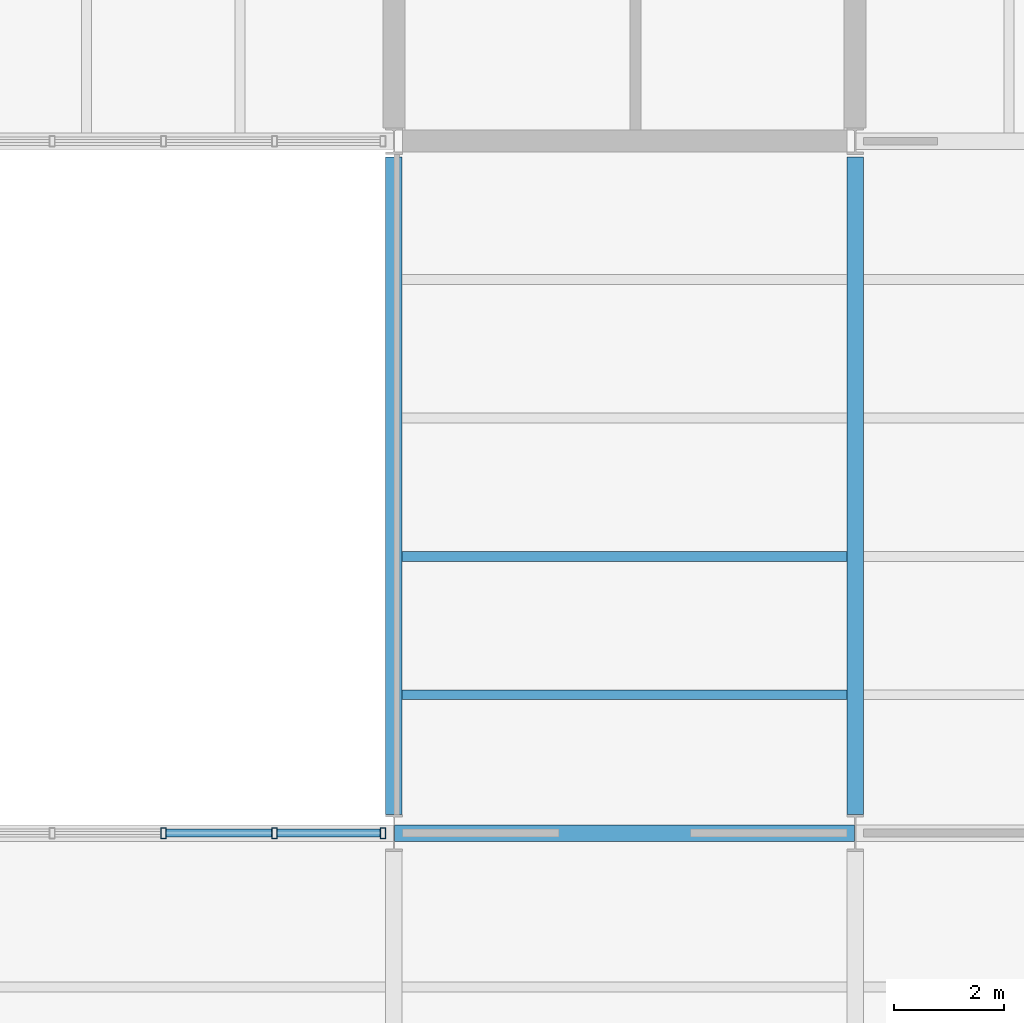
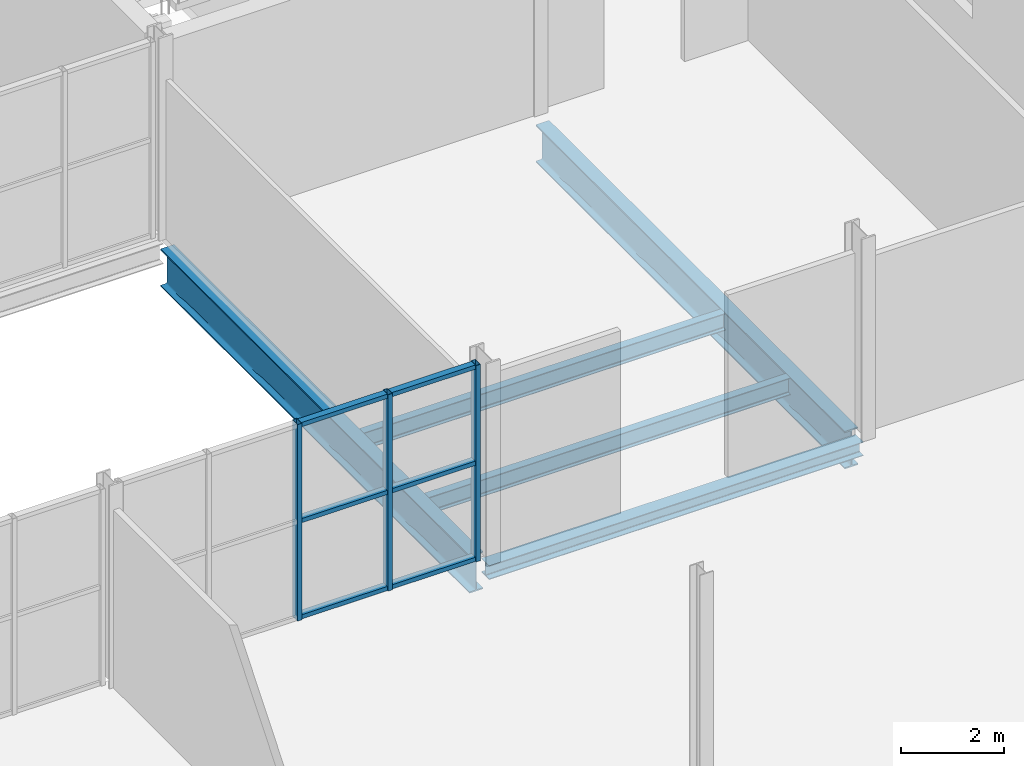
# One storey, part 20 of 52: 9 members, 5 beams, 1 element without a shape of its own.
"""IFC4 building model written with IfcOpenShell, lengths in metres."""

from ifc_helpers import new_model, si_unit, direction, frame, origin, origin_2d, place, context, subcontext, project, spatial, hollow_rectangle, i_section, extrude, material, layer, layer_set, material_profile, profile_set, type_object, element, aggregate, save


model = new_model("IFC4")

# Units and contexts
model_context = context("Model", 3, precision=1e-05, world=origin(), true_north=direction((0.0, 1.0)))
body_context = subcontext(model_context, "Body", "Model", "MODEL_VIEW")
ifc_project = project(units=[si_unit("LENGTHUNIT", "METRE"), si_unit("AREAUNIT", "SQUARE_METRE"), si_unit("VOLUMEUNIT", "CUBIC_METRE"), si_unit("PLANEANGLEUNIT", "RADIAN"), si_unit("MASSUNIT", "GRAM", prefix="KILO")], contexts=[model_context])

# Site, building, storey
site_placement = place(None, origin())
site = spatial("IfcSite", under=ifc_project, at=site_placement, CompositionType="ELEMENT")
building_placement = place(site_placement, origin())
building = spatial("IfcBuilding", under=site, at=building_placement, Name="Galleria Vessillo Department Store", CompositionType="ELEMENT")
storey_placement = place(building_placement, frame((0.0, 0.0, 16.199951171875)))
storey = spatial("IfcBuildingStorey", under=building, at=storey_placement, Name="L03", CompositionType="ELEMENT", Elevation=16.199951171875)

# Beams
ifc_material_1 = material(Name="Steel S355 J2", Category="steel")
ifc_material_profile_1 = material_profile(ifc_material_1, i_section(OverallWidth=0.300048828125, OverallDepth=0.889892578125, WebThickness=0.01611328125, FlangeThickness=0.030029296875, FilletRadius=0.030029296875, at=origin_2d()), Name="HEA 900")
ifc_profile_set_1 = profile_set([ifc_material_profile_1], Name="Steel S355 J2")
beam_type_1 = type_object("IfcBeamType", Name="Floor girder HEA 900", PredefinedType="BEAM", material=ifc_profile_set_1)
beam_1_placement = place(storey_placement, frame((109.199951171875, 25.5341796875, -0.594970703125), z_axis=(0.0, 1.0, 0.0), x_axis=(-1.0, 0.0, 0.0)))
element("IfcBeam", 1, at=beam_1_placement, inside=storey, type_object=beam_type_1, Name="S-BM-L03-GI-y109200-25534", PredefinedType="BEAM", context=body_context, shape_type="SweptSolid", body=[
    extrude(i_section(OverallWidth=0.300048828125, OverallDepth=0.889892578125, WebThickness=0.01611328125, FlangeThickness=0.030029296875, FilletRadius=0.030029296875, at=origin_2d()), origin(), (0.0, 0.0, 1.0), 11.979736328125),
])
ifc_material_2 = material(Name="Steel S355 J2", Category="steel")
ifc_material_profile_2 = material_profile(ifc_material_2, i_section(OverallWidth=0.179931640625, OverallDepth=0.39990234375, WebThickness=0.008544921875, FlangeThickness=0.013427734375, FilletRadius=0.02099609375, at=origin_2d()), Name="IPE 400")
ifc_profile_set_2 = profile_set([ifc_material_profile_2], Name="Steel S355 J2")
beam_type_2 = type_object("IfcBeamType", Name="Floor joist IPE 400", PredefinedType="JOIST", material=ifc_profile_set_2)
for number, where, z_axis, x_axis, name in (
    (2, (100.9501953125, 27.719970703125, -0.349853515625), (1.0, 0.0, 0.0), (0.0, 1.0, 0.0), "S-BM-L03-JO-x27720-100950"),
    (3, (100.9501953125, 30.239990234375, -0.349853515625), (1.0, 0.0, 0.0), (0.0, 1.0, 0.0), "S-BM-L03-JO-x30240-100950"),
):
    element("IfcBeam", number, at=place(storey_placement, frame(where, z_axis=z_axis, x_axis=x_axis)), inside=storey, type_object=beam_type_2, Name=name, PredefinedType="JOIST", context=body_context, shape_type="SweptSolid", body=[
        extrude(i_section(OverallWidth=0.179931640625, OverallDepth=0.39990234375, WebThickness=0.008544921875, FlangeThickness=0.013427734375, FilletRadius=0.02099609375, at=origin_2d()), origin(), (0.0, 0.0, 1.0), 8.099609375),
    ])
ifc_material_3 = material(Name="Steel S355 J2", Category="steel")
ifc_material_profile_3 = material_profile(ifc_material_3, i_section(OverallWidth=0.300048828125, OverallDepth=0.330078125, WebThickness=0.009521484375, FlangeThickness=0.0166015625, FilletRadius=0.027099609375, at=origin_2d()), Name="HEA 340")
ifc_profile_set_3 = profile_set([ifc_material_profile_3], Name="Steel S355 J2")
beam_type_3 = type_object("IfcBeamType", Name="Floor tie girder HEA 340", PredefinedType="BEAM", material=ifc_profile_set_3)
beam_2_placement = place(storey_placement, frame((100.810546875, 25.199951171875, -0.31494140625), z_axis=(1.0, 0.0, 0.0), x_axis=(0.0, 1.0, 0.0)))
element("IfcBeam", 4, at=beam_2_placement, inside=storey, type_object=beam_type_3, Name="S-BM-L03-TI-x25200-100811", PredefinedType="BEAM", context=body_context, shape_type="SweptSolid", body=[
    extrude(i_section(OverallWidth=0.300048828125, OverallDepth=0.330078125, WebThickness=0.009521484375, FlangeThickness=0.0166015625, FilletRadius=0.027099609375, at=origin_2d()), origin(), (0.0, 0.0, 1.0), 8.37890625),
])

# Curtain wall, members
ifc_material_4 = material(Name="Steel and fire-resisting glass curtain wall", Category="steel")
ifc_layer = layer(ifc_material_4, 0.199951171875)
ifc_layer_set = layer_set([ifc_layer], Name="Steel and fire-resisting glass curtain wall")
curtain_wall_type = type_object("IfcCurtainWallType", Name="Arcade fire-resisting glazed shopfront EI 120-Sa", PredefinedType="NOTDEFINED", material=ifc_layer_set)
curtain_wall_placement = place(storey_placement, origin())
curtain_wall = element("IfcCurtainWall", 5, at=curtain_wall_placement, inside=storey, type_object=curtain_wall_type, Name="Arcade fire-resisting glazed shopfront EI 120-Sa AI-AE-S-L03-02", PredefinedType="NOTDEFINED")
ifc_material_5 = material(Name="Steel S355 J2", Category="steel")
ifc_material_profile_4 = material_profile(ifc_material_5, hollow_rectangle(XDim=0.199951171875, YDim=0.10009765625, WallThickness=0.008056640625, at=origin_2d()), Name="RHS 200x100x8")
ifc_profile_set_4 = profile_set([ifc_material_profile_4], Name="Steel S355 J2")
member_type_1 = type_object("IfcMemberType", Name="Steel mullion RHS 200x100x8", PredefinedType="MULLION", material=ifc_profile_set_4)
member_1_placement = place(storey_placement, frame((96.600341796875, 25.199951171875, 0.0), z_axis=(0.0, 0.0, 1.0), x_axis=(0.0, 1.0, 0.0)))
member_1 = element("IfcMember", 6, at=member_1_placement, type_object=member_type_1, Name="CW7 mullion 3", PredefinedType="MULLION", context=body_context, shape_type="SweptSolid", body=[
    extrude(hollow_rectangle(XDim=0.199951171875, YDim=0.10009765625, WallThickness=0.008056640625, at=origin_2d()), origin(), (0.0, 0.0, 1.0), 4.650146484375),
])
member_2_placement = place(storey_placement, frame((98.623779296875, 25.199951171875, 0.0), z_axis=(0.0, 0.0, 1.0), x_axis=(0.0, 1.0, 0.0)))
member_2 = element("IfcMember", 7, at=member_2_placement, type_object=member_type_1, Name="CW7 mullion 4", PredefinedType="MULLION", context=body_context, shape_type="SweptSolid", body=[
    extrude(hollow_rectangle(XDim=0.199951171875, YDim=0.10009765625, WallThickness=0.008056640625, at=origin_2d()), origin(), (0.0, 0.0, 1.0), 4.650146484375),
])
member_3_placement = place(storey_placement, frame((100.597412109375, 25.199951171875, 0.0), z_axis=(0.0, 0.0, 1.0), x_axis=(0.0, 1.0, 0.0)))
member_3 = element("IfcMember", 8, at=member_3_placement, type_object=member_type_1, Name="CW7 mullion 5", PredefinedType="MULLION", context=body_context, shape_type="SweptSolid", body=[
    extrude(hollow_rectangle(XDim=0.199951171875, YDim=0.10009765625, WallThickness=0.008056640625, at=origin_2d()), origin(), (0.0, 0.0, 1.0), 4.650146484375),
])
ifc_material_6 = material(Name="Steel S355 J2", Category="steel")
ifc_material_profile_5 = material_profile(ifc_material_6, hollow_rectangle(XDim=0.14990234375, YDim=0.10009765625, WallThickness=0.008056640625, at=origin_2d()), Name="RHS 150x100x8")
ifc_profile_set_5 = profile_set([ifc_material_profile_5], Name="Steel S355 J2")
member_type_2 = type_object("IfcMemberType", Name="Steel transom RHS 150x100x8", PredefinedType="USERDEFINED", material=ifc_profile_set_5)
member_4_placement = place(storey_placement, frame((96.650146484375, 25.199951171875, 0.050048828125), z_axis=(1.0, 0.0, 0.0), x_axis=(0.0, 1.0, 0.0)))
member_4 = element("IfcMember", 9, at=member_4_placement, type_object=member_type_2, Name="CW7 transom 3.1", ObjectType="TRANSOM", PredefinedType="USERDEFINED", context=body_context, shape_type="SweptSolid", body=[
    extrude(hollow_rectangle(XDim=0.14990234375, YDim=0.10009765625, WallThickness=0.008056640625, at=origin_2d()), origin(), (0.0, 0.0, 1.0), 1.923583984375),
])
member_5_placement = place(storey_placement, frame((96.650146484375, 25.199951171875, 2.324951171875), z_axis=(1.0, 0.0, 0.0), x_axis=(0.0, 1.0, 0.0)))
member_5 = element("IfcMember", 10, at=member_5_placement, type_object=member_type_2, Name="CW7 transom 3.2", ObjectType="TRANSOM", PredefinedType="USERDEFINED", context=body_context, shape_type="SweptSolid", body=[
    extrude(hollow_rectangle(XDim=0.14990234375, YDim=0.10009765625, WallThickness=0.008056640625, at=origin_2d()), origin(), (0.0, 0.0, 1.0), 1.923583984375),
])
member_6_placement = place(storey_placement, frame((96.650146484375, 25.199951171875, 4.60009765625), z_axis=(1.0, 0.0, 0.0), x_axis=(0.0, 1.0, 0.0)))
member_6 = element("IfcMember", 11, at=member_6_placement, type_object=member_type_2, Name="CW7 transom 3.3", ObjectType="TRANSOM", PredefinedType="USERDEFINED", context=body_context, shape_type="SweptSolid", body=[
    extrude(hollow_rectangle(XDim=0.14990234375, YDim=0.10009765625, WallThickness=0.008056640625, at=origin_2d()), origin(), (0.0, 0.0, 1.0), 1.923583984375),
])
member_7_placement = place(storey_placement, frame((98.673828125, 25.199951171875, 0.050048828125), z_axis=(1.0, 0.0, 0.0), x_axis=(0.0, 1.0, 0.0)))
member_7 = element("IfcMember", 12, at=member_7_placement, type_object=member_type_2, Name="CW7 transom 4.1", ObjectType="TRANSOM", PredefinedType="USERDEFINED", context=body_context, shape_type="SweptSolid", body=[
    extrude(hollow_rectangle(XDim=0.14990234375, YDim=0.10009765625, WallThickness=0.008056640625, at=origin_2d()), origin(), (0.0, 0.0, 1.0), 1.87353515625),
])
member_8_placement = place(storey_placement, frame((98.673828125, 25.199951171875, 2.324951171875), z_axis=(1.0, 0.0, 0.0), x_axis=(0.0, 1.0, 0.0)))
member_8 = element("IfcMember", 13, at=member_8_placement, type_object=member_type_2, Name="CW7 transom 4.2", ObjectType="TRANSOM", PredefinedType="USERDEFINED", context=body_context, shape_type="SweptSolid", body=[
    extrude(hollow_rectangle(XDim=0.14990234375, YDim=0.10009765625, WallThickness=0.008056640625, at=origin_2d()), origin(), (0.0, 0.0, 1.0), 1.87353515625),
])
member_9_placement = place(storey_placement, frame((98.673828125, 25.199951171875, 4.60009765625), z_axis=(1.0, 0.0, 0.0), x_axis=(0.0, 1.0, 0.0)))
member_9 = element("IfcMember", 14, at=member_9_placement, type_object=member_type_2, Name="CW7 transom 4.3", ObjectType="TRANSOM", PredefinedType="USERDEFINED", context=body_context, shape_type="SweptSolid", body=[
    extrude(hollow_rectangle(XDim=0.14990234375, YDim=0.10009765625, WallThickness=0.008056640625, at=origin_2d()), origin(), (0.0, 0.0, 1.0), 1.87353515625),
])
aggregate(curtain_wall, [member_1, member_2, member_3, member_4, member_5, member_6, member_7, member_8, member_9])

# Beam
ifc_material_7 = material(Name="Steel S355 J2", Category="steel")
ifc_material_profile_6 = material_profile(ifc_material_7, i_section(OverallWidth=0.300048828125, OverallDepth=0.889892578125, WebThickness=0.01611328125, FlangeThickness=0.030029296875, FilletRadius=0.030029296875, at=origin_2d()), Name="HEA 900")
ifc_profile_set_6 = profile_set([ifc_material_profile_6], Name="Steel S355 J2")
beam_type_4 = type_object("IfcBeamType", Name="Trimmer beam HEA 900", PredefinedType="BEAM", material=ifc_profile_set_6)
beam_3_placement = place(storey_placement, frame((100.800048828125, 25.5341796875, -0.594970703125), z_axis=(0.0, 1.0, 0.0), x_axis=(-1.0, 0.0, 0.0)))
element("IfcBeam", 15, at=beam_3_placement, inside=storey, type_object=beam_type_4, Name="S-BM-L03-TR-y100800-25534", PredefinedType="BEAM", context=body_context, shape_type="SweptSolid", body=[
    extrude(i_section(OverallWidth=0.300048828125, OverallDepth=0.889892578125, WebThickness=0.01611328125, FlangeThickness=0.030029296875, FilletRadius=0.030029296875, at=origin_2d()), origin(), (0.0, 0.0, 1.0), 11.979736328125),
])

save(model, "model.ifc")
